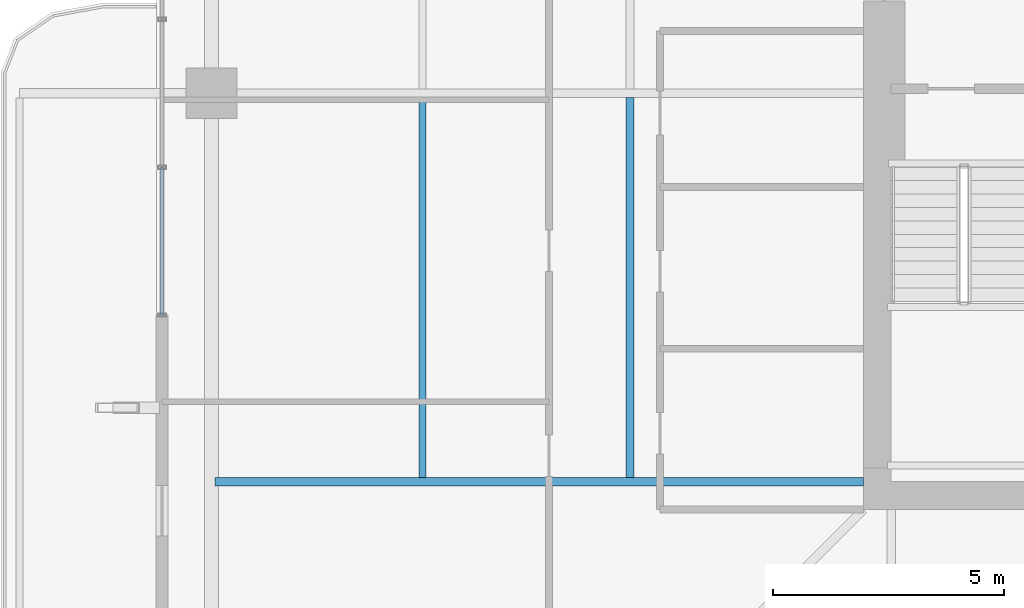
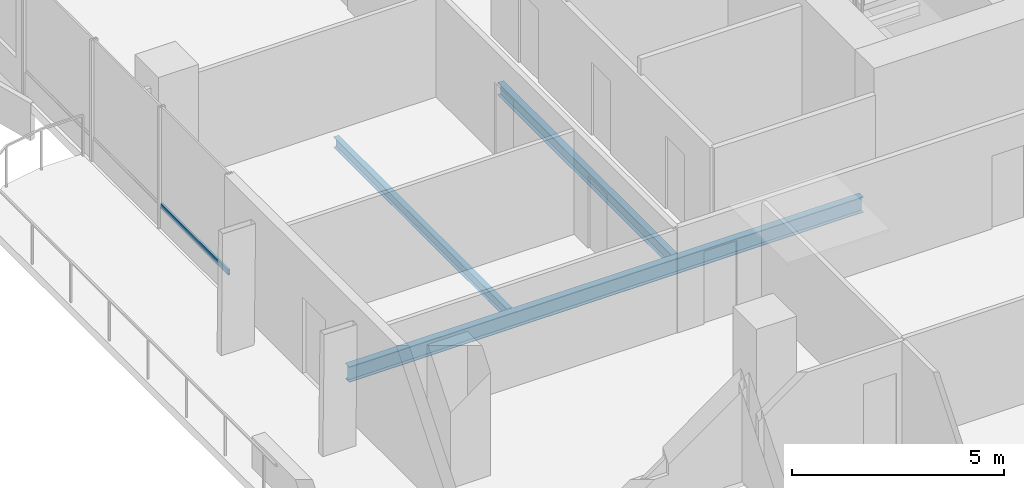
# One storey, part 5 of 24: 3 beams, 1 member, 1 element without a shape of its own.
"""IFC4 building model written with IfcOpenShell, lengths in metres."""

from ifc_helpers import new_model, si_unit, direction, frame, origin, origin_2d, place, context, subcontext, project, spatial, hollow_rectangle, i_section, extrude, material, layer, layer_set, material_profile, profile_set, type_object, element, aggregate, save


model = new_model("IFC4")

# Units and contexts
model_context = context("Model", 3, precision=1e-05, world=origin(), true_north=direction((0.0, 1.0)))
body_context = subcontext(model_context, "Body", "Model", "MODEL_VIEW")
ifc_project = project(units=[si_unit("LENGTHUNIT", "METRE"), si_unit("AREAUNIT", "SQUARE_METRE"), si_unit("VOLUMEUNIT", "CUBIC_METRE"), si_unit("PLANEANGLEUNIT", "RADIAN"), si_unit("MASSUNIT", "GRAM", prefix="KILO")], contexts=[model_context])

# Site, building, storey
site_placement = place(None, origin())
site = spatial("IfcSite", under=ifc_project, at=site_placement, CompositionType="ELEMENT")
building_placement = place(site_placement, origin())
building = spatial("IfcBuilding", under=site, at=building_placement, Name="Belovzor Exchange Tower", CompositionType="ELEMENT")
storey_placement = place(building_placement, frame((0.0, 0.0, 179.550048828125)))
storey = spatial("IfcBuildingStorey", under=building, at=storey_placement, Name="L44", CompositionType="ELEMENT", Elevation=179.550048828125)

# Beams
ifc_material_1 = material(Name="Steel S355", Category="steel")
ifc_material_profile_1 = material_profile(ifc_material_1, i_section(OverallWidth=0.169921875, OverallDepth=0.360107421875, WebThickness=0.008056640625, FlangeThickness=0.0126953125, at=origin_2d()))
ifc_profile_set_1 = profile_set([ifc_material_profile_1], Name="Steel S355")
beam_type_1 = type_object("IfcBeamType", Name="Secondary Infill Floor Joist IPE 360", PredefinedType="BEAM", material=ifc_profile_set_1)
beam_1_placement = place(storey_placement, frame((14.7509765625, 20.4951171875, -0.43505859375), z_axis=(0.0, 1.0, 0.0), x_axis=(-1.0, 0.0, 0.0)))
element("IfcBeam", 1, at=beam_1_placement, inside=storey, type_object=beam_type_1, Name="FJ-360 Secondary Infill Floor Joist IPE 360", PredefinedType="BEAM", context=body_context, shape_type="SweptSolid", body=[
    extrude(i_section(OverallWidth=0.169921875, OverallDepth=0.360107421875, WebThickness=0.008056640625, FlangeThickness=0.0126953125, at=origin_2d()), origin(), (0.0, 0.0, 1.0), 8.2099609375),
])
ifc_material_2 = material(Name="Steel S355", Category="steel")
ifc_material_profile_2 = material_profile(ifc_material_2, i_section(OverallWidth=0.14990234375, OverallDepth=0.300048828125, WebThickness=0.007080078125, FlangeThickness=0.0107421875, at=origin_2d()))
ifc_profile_set_2 = profile_set([ifc_material_profile_2], Name="Steel S355")
beam_type_2 = type_object("IfcBeamType", Name="Secondary Trim Floor Joist IPE 300", PredefinedType="BEAM", material=ifc_profile_set_2)
beam_2_placement = place(storey_placement, frame((10.262939453125, 20.4951171875, -0.405029296875), z_axis=(0.0, 1.0, 0.0), x_axis=(-1.0, 0.0, 0.0)))
element("IfcBeam", 2, at=beam_2_placement, inside=storey, type_object=beam_type_2, Name="FJ-300 Secondary Trim Floor Joist IPE 300", PredefinedType="BEAM", context=body_context, shape_type="SweptSolid", body=[
    extrude(i_section(OverallWidth=0.14990234375, OverallDepth=0.300048828125, WebThickness=0.007080078125, FlangeThickness=0.0107421875, at=origin_2d()), origin(), (0.0, 0.0, 1.0), 8.2099609375),
])

# Curtain wall, member
ifc_material_3 = material(Name="Anodised Aluminium Framing", Category="aluminium")
ifc_layer = layer(ifc_material_3, 0.179931640625)
ifc_layer_set = layer_set([ifc_layer], Name="Anodised Aluminium Framing")
curtain_wall_type = type_object("IfcCurtainWallType", Name="Recessed Loggia Low-Iron Triple-Glazed Curtain Wall", PredefinedType="NOTDEFINED", material=ifc_layer_set)
curtain_wall_placement = place(storey_placement, origin())
curtain_wall = element("IfcCurtainWall", 3, at=curtain_wall_placement, inside=storey, type_object=curtain_wall_type, Name="CW3 Recessed Loggia Low-Iron Triple-Glazed Curtain Wall L44", PredefinedType="NOTDEFINED")
ifc_material_4 = material(Name="Steel S355", Category="steel")
ifc_material_profile_3 = material_profile(ifc_material_4, hollow_rectangle(XDim=0.06005859375, YDim=0.14990234375, WallThickness=0.00390625, at=origin_2d()))
ifc_profile_set_3 = profile_set([ifc_material_profile_3], Name="Steel S355")
member_type = type_object("IfcMemberType", Name="Thermally Broken Curtain Wall Transom 150x60", PredefinedType="USERDEFINED", material=ifc_profile_set_3)
member_placement = place(storey_placement, frame((4.6298828125, 24.008056640625, 0.62890625), z_axis=(0.0, 1.0, 0.0), x_axis=(-1.0, 0.0, 0.0)))
member = element("IfcMember", 4, at=member_placement, type_object=member_type, Name="CW-T150 Curtain Wall Transom 1", ObjectType="TRANSOM", PredefinedType="USERDEFINED", context=body_context, shape_type="SweptSolid", body=[
    extrude(hollow_rectangle(XDim=0.06005859375, YDim=0.14990234375, WallThickness=0.00390625, at=origin_2d()), origin(), (0.0, 0.0, 1.0), 3.183837890625),
])
aggregate(curtain_wall, [member])

# Beam
ifc_material_5 = material(Name="Steel S355", Category="steel")
ifc_material_profile_4 = material_profile(ifc_material_5, i_section(OverallWidth=0.18994140625, OverallDepth=0.449951171875, WebThickness=0.009521484375, FlangeThickness=0.0146484375, at=origin_2d()))
ifc_profile_set_4 = profile_set([ifc_material_profile_4], Name="Steel S355")
beam_type_3 = type_object("IfcBeamType", Name="Zone 2-4 Radial Composite Floor Beam IPE 450", PredefinedType="BEAM", material=ifc_profile_set_4)
beam_3_placement = place(storey_placement, frame((19.800048828125, 20.39990234375, -0.47998046875), z_axis=(-1.0, 0.0, 0.0), x_axis=(0.0, -1.0, 0.0)))
element("IfcBeam", 5, at=beam_3_placement, inside=storey, type_object=beam_type_3, Name="FB-450 Zone 2-4 Radial Composite Floor Beam IPE 450", PredefinedType="BEAM", context=body_context, shape_type="SweptSolid", body=[
    extrude(i_section(OverallWidth=0.18994140625, OverallDepth=0.449951171875, WebThickness=0.009521484375, FlangeThickness=0.0146484375, at=origin_2d()), origin(), (0.0, 0.0, 1.0), 14.025146484375),
])

save(model, "model.ifc")
